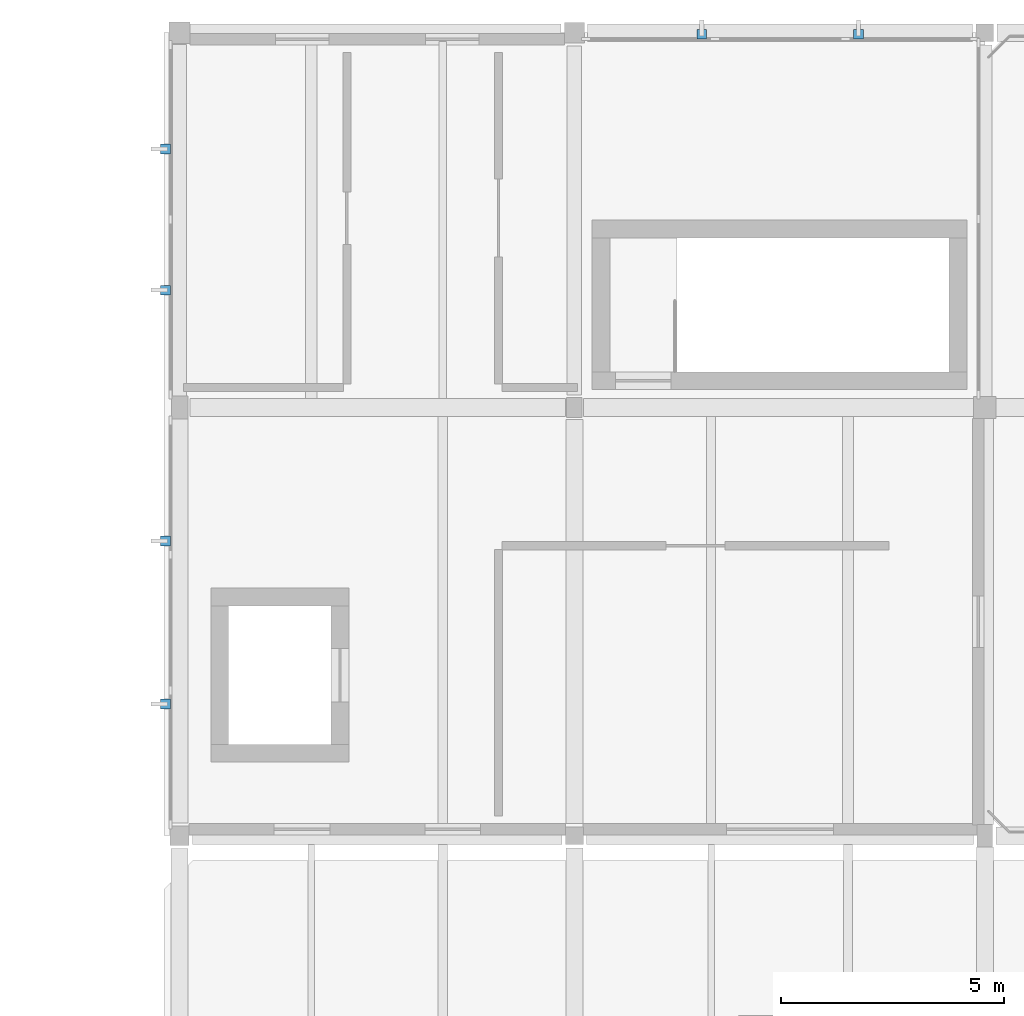
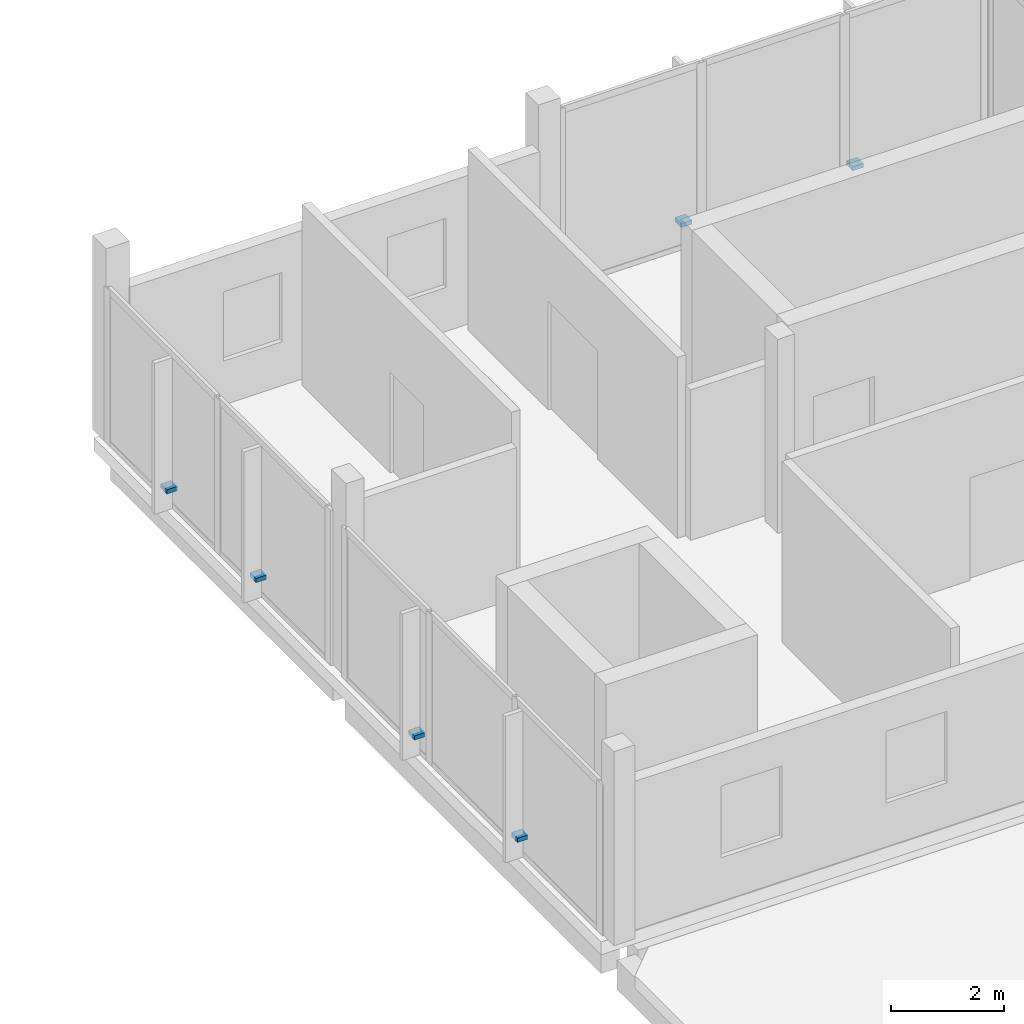
# One storey, part 26 of 35: 6 discrete accessories.
"""IFC4 building model written with IfcOpenShell, lengths in metres."""

from ifc_helpers import new_model, si_unit, direction, frame, origin, origin_2d, place, context, subcontext, project, spatial, rectangle, extrude, material, layer, layer_set, type_object, element, save


model = new_model("IFC4")

# Units and contexts
model_context = context("Model", 3, precision=1e-05, world=origin(), true_north=direction((0.0, 1.0)))
body_context = subcontext(model_context, "Body", "Model", "MODEL_VIEW")
ifc_project = project(units=[si_unit("LENGTHUNIT", "METRE"), si_unit("AREAUNIT", "SQUARE_METRE"), si_unit("VOLUMEUNIT", "CUBIC_METRE"), si_unit("PLANEANGLEUNIT", "RADIAN"), si_unit("MASSUNIT", "GRAM", prefix="KILO")], contexts=[model_context])

# Site, building, storey
site_placement = place(None, origin())
site = spatial("IfcSite", under=ifc_project, at=site_placement, CompositionType="ELEMENT")
building_placement = place(site_placement, origin())
building = spatial("IfcBuilding", under=site, at=building_placement, Name="Birchvale Park Specialist Clinic", CompositionType="ELEMENT")
storey_placement = place(building_placement, frame((0.0, 0.0, 13.800048828125)))
storey = spatial("IfcBuildingStorey", under=building, at=storey_placement, Name="L03", CompositionType="ELEMENT", Elevation=13.800048828125)

# Discrete accessories
ifc_material = material(Name="Anodised aluminium facade bracket", Category="aluminium")
ifc_layer = layer(ifc_material, 0.080078125)
ifc_layer_set = layer_set([ifc_layer], Name="Anodised aluminium facade bracket")
discrete_accessory_type = type_object("IfcDiscreteAccessoryType", Name="ACC-BRK-1", PredefinedType="BRACKET", material=ifc_layer_set)
for number, where, z_axis, x_axis, name in (
    (1, (143.569580078125, 91.1650390625, 0.455078125), (0.0, 0.0, 1.0), (0.0, 1.0, 0.0), "V6 L03 solar fin bracket 51"),
    (2, (140.055419921875, 91.1650390625, 0.455078125), (0.0, 0.0, 1.0), (0.0, 1.0, 0.0), "V6 L03 solar fin bracket 52"),
    (3, (128.034912109375, 88.592041015625, 0.455078125), (0.0, 0.0, 1.0), (1.0, 0.0, 0.0), "V6 L03 solar fin bracket 53"),
    (4, (128.034912109375, 85.427978515625, 0.455078125), (0.0, 0.0, 1.0), (1.0, 0.0, 0.0), "V6 L03 solar fin bracket 54"),
    (5, (128.034912109375, 79.804443359375, 0.455078125), (0.0, 0.0, 1.0), (1.0, 0.0, 0.0), "V6 L03 solar fin bracket 55"),
    (6, (128.034912109375, 76.150390625, 0.455078125), (0.0, 0.0, 1.0), (1.0, 0.0, 0.0), "V6 L03 solar fin bracket 56"),
):
    element("IfcDiscreteAccessory", number, at=place(storey_placement, frame(where, z_axis=z_axis, x_axis=x_axis)), inside=storey, type_object=discrete_accessory_type, Name=name, PredefinedType="BRACKET", context=body_context, shape_type="SweptSolid", body=[
        extrude(rectangle(XDim=0.219970703125, YDim=0.219970703125, at=origin_2d()), origin(), (0.0, 0.0, 1.0), 0.090087890625),
    ])

save(model, "model.ifc")
